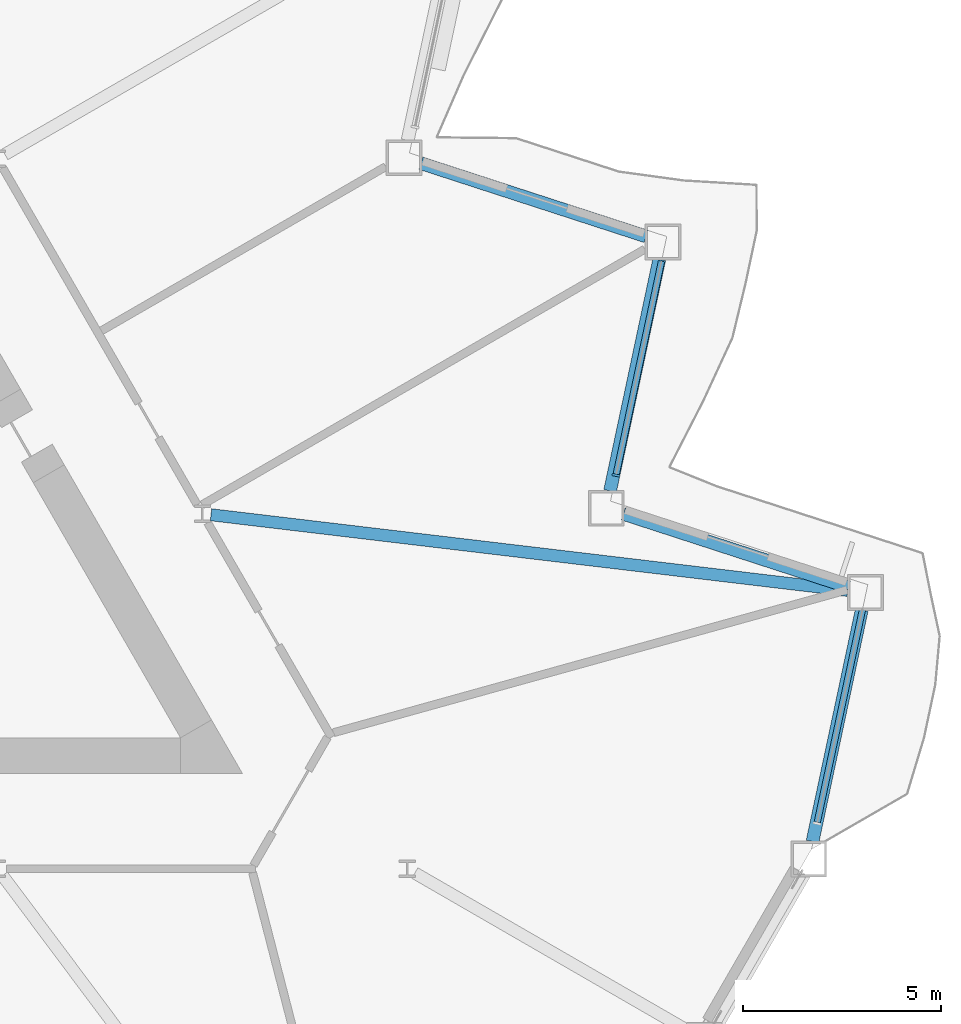
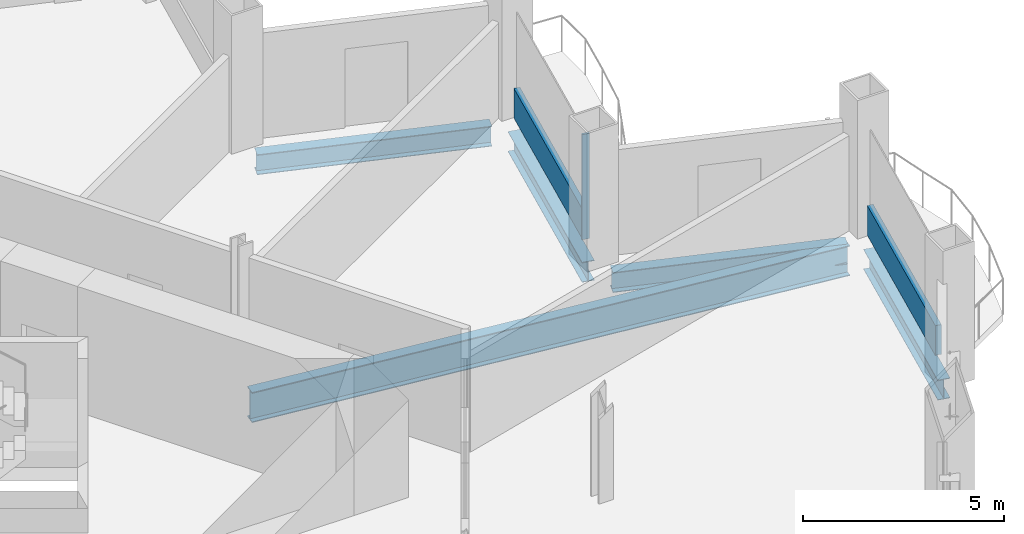
# One storey, part 6 of 21: 5 beams, 3 members, 2 elements without a shape of their own.
"""IFC4 building model written with IfcOpenShell, lengths in metres."""

from ifc_helpers import new_model, si_unit, direction, frame, origin, origin_2d, place, context, subcontext, project, spatial, rectangle, i_section, extrude, material, layer, layer_set, material_profile, profile_set, type_object, element, aggregate, save


model = new_model("IFC4")

# Units and contexts
model_context = context("Model", 3, precision=1e-05, world=origin(), true_north=direction((0.0, 1.0)))
body_context = subcontext(model_context, "Body", "Model", "MODEL_VIEW")
ifc_project = project(units=[si_unit("LENGTHUNIT", "METRE"), si_unit("AREAUNIT", "SQUARE_METRE"), si_unit("VOLUMEUNIT", "CUBIC_METRE"), si_unit("PLANEANGLEUNIT", "RADIAN"), si_unit("MASSUNIT", "GRAM", prefix="KILO")], contexts=[model_context])

# Site, building, storey
site_placement = place(None, origin())
site = spatial("IfcSite", under=ifc_project, at=site_placement, CompositionType="ELEMENT")
building_placement = place(site_placement, origin())
building = spatial("IfcBuilding", under=site, at=building_placement, Name="Cormorant Prow Tower", CompositionType="ELEMENT")
storey_placement = place(building_placement, frame((0.0, 0.0, 141.60009765625)))
storey = spatial("IfcBuildingStorey", under=building, at=storey_placement, Name="L30", CompositionType="ELEMENT", Elevation=141.60009765625)

# Curtain wall, member
ifc_material_1 = material(Name="Aluminium 6063-T6", Category="aluminium")
ifc_layer = layer(ifc_material_1, 0.199951171875)
ifc_layer_set = layer_set([ifc_layer], Name="Aluminium 6063-T6")
curtain_wall_type = type_object("IfcCurtainWallType", Name="Office unitised curtain wall 200", PredefinedType="NOTDEFINED", material=ifc_layer_set)
curtain_wall_1_placement = place(storey_placement, origin())
curtain_wall_1 = element("IfcCurtainWall", 1, at=curtain_wall_1_placement, inside=storey, type_object=curtain_wall_type, Name="Office curtain wall ENE02", PredefinedType="NOTDEFINED")
ifc_material_2 = material(Name="Aluminium 6063-T6", Category="aluminium")
ifc_material_profile_1 = material_profile(ifc_material_2, rectangle(XDim=0.199951171875, YDim=0.06005859375, at=origin_2d()), Name="Office mullion 60x200")
ifc_profile_set_1 = profile_set([ifc_material_profile_1], Name="Aluminium 6063-T6")
member_type_1 = type_object("IfcMemberType", Name="Office mullion 60x200", PredefinedType="MULLION", material=ifc_profile_set_1)
member_1_placement = place(storey_placement, frame((25.911376953125, -2.012451171875, 0.0), z_axis=(0.0, 0.0, 1.0), x_axis=(-0.978147594572, 0.207911719806, 0.0)))
member_1 = element("IfcMember", 2, at=member_1_placement, type_object=member_type_1, Name="Office mullion ENE02", PredefinedType="MULLION", context=body_context, shape_type="SweptSolid", body=[
    extrude(rectangle(XDim=0.199951171875, YDim=0.06005859375, at=origin_2d()), origin(), (0.0, 0.0, 1.0), 3.188720703125),
])

curtain_wall_2_placement = place(storey_placement, origin())
curtain_wall_2 = element("IfcCurtainWall", 3, at=curtain_wall_2_placement, inside=storey, type_object=curtain_wall_type, Name="Office curtain wall ENE00", PredefinedType="NOTDEFINED")
ifc_material_3 = material(Name="Terracotta", Category="masonry")
ifc_material_profile_2 = material_profile(ifc_material_3, rectangle(XDim=0.159912109375, YDim=0.89990234375, at=origin_2d()), Name="Office terracotta spandrel rail 160x900")
ifc_profile_set_2 = profile_set([ifc_material_profile_2], Name="Terracotta")
member_type_2 = type_object("IfcMemberType", Name="Office terracotta spandrel rail 160x900", PredefinedType="USERDEFINED", material=ifc_profile_set_2)
member_2_placement = place(storey_placement, frame((30.982177734375, -10.755126953125, 0.449951171875), z_axis=(0.207901892463, 0.978149683387, 0.0), x_axis=(-0.978149683387, 0.207901892463, 0.0)))
member_2 = element("IfcMember", 4, at=member_2_placement, type_object=member_type_2, Name="Office spandrel rail ENE00", ObjectType="TRANSOM", PredefinedType="USERDEFINED", context=body_context, shape_type="SweptSolid", body=[
    extrude(rectangle(XDim=0.159912109375, YDim=0.89990234375, at=origin_2d()), origin(), (0.0, 0.0, 1.0), 5.48291015625),
])
aggregate(curtain_wall_2, [member_2])

# Member
member_3_placement = place(storey_placement, frame((25.917724609375, -1.983154296875, 0.449951171875), z_axis=(0.207901892463, 0.978149683387, 0.0), x_axis=(-0.978149683387, 0.207901892463, 0.0)))
member_3 = element("IfcMember", 5, at=member_3_placement, type_object=member_type_2, Name="Office spandrel rail ENE02", ObjectType="TRANSOM", PredefinedType="USERDEFINED", context=body_context, shape_type="SweptSolid", body=[
    extrude(rectangle(XDim=0.159912109375, YDim=0.89990234375, at=origin_2d()), origin(), (0.0, 0.0, 1.0), 5.48291015625),
])

aggregate(curtain_wall_1, [member_1, member_3])

# Beams
ifc_material_4 = material(Name="Structural steel ASTM A992 Gr 50", Category="steel")
ifc_material_profile_3 = material_profile(ifc_material_4, i_section(OverallWidth=0.3046875, OverallDepth=0.914794921875, WebThickness=0.0166015625, FlangeThickness=0.02587890625, at=origin_2d()), Name="W36x160")
ifc_profile_set_3 = profile_set([ifc_material_profile_3], Name="Structural steel ASTM A992 Gr 50")
beam_type_1 = type_object("IfcBeamType", Name="Radial floor beam W36x160", PredefinedType="BEAM", material=ifc_profile_set_3)
beam_1_placement = place(storey_placement, frame((15.70849609375, -3.00732421875, -0.857421875), z_axis=(0.993009167646, -0.118037252474, 0.0), x_axis=(0.118037252474, 0.993009167646, 0.0)))
element("IfcBeam", 6, at=beam_1_placement, inside=storey, type_object=beam_type_1, Name="Radial floor beam FB1 10 L30", PredefinedType="BEAM", context=body_context, shape_type="SweptSolid", body=[
    extrude(i_section(OverallWidth=0.3046875, OverallDepth=0.914794921875, WebThickness=0.0166015625, FlangeThickness=0.02587890625, at=origin_2d()), origin(), (0.0, 0.0, 1.0), 16.15380859375),
])
ifc_material_5 = material(Name="Structural steel ASTM A992 Gr 50", Category="steel")
ifc_material_profile_4 = material_profile(ifc_material_5, i_section(OverallWidth=0.32373046875, OverallDepth=0.611083984375, WebThickness=0.0126953125, FlangeThickness=0.01904296875, at=origin_2d()), Name="W24x104")
ifc_profile_set_4 = profile_set([ifc_material_profile_4], Name="Structural steel ASTM A992 Gr 50")
beam_type_2 = type_object("IfcBeamType", Name="Spandrel beam W24x104", PredefinedType="SPANDREL", material=ifc_profile_set_4)
beam_2_placement = place(storey_placement, frame((30.86279296875, -11.23974609375, -0.70556640625), z_axis=(0.207912620873, 0.978147403044, 0.0), x_axis=(-0.978147403044, 0.207912620873, 0.0)))
element("IfcBeam", 7, at=beam_2_placement, inside=storey, type_object=beam_type_2, Name="Spandrel beam SB1 ENE00-ENE01 L30", PredefinedType="SPANDREL", context=body_context, shape_type="SweptSolid", body=[
    extrude(i_section(OverallWidth=0.32373046875, OverallDepth=0.611083984375, WebThickness=0.0126953125, FlangeThickness=0.01904296875, at=origin_2d()), origin(), (0.0, 0.0, 1.0), 5.962890625),
])
for number, where, z_axis, x_axis, name in (
    (8, (31.768310546875, -4.828125, -0.70556640625), (-0.951059340519, 0.309008302174, 0.0), (-0.309008302174, -0.951059340519, 0.0), "Spandrel beam SB1 ENE01-ENE02 L30"),
    (9, (25.762939453125, -2.40625, -0.70556640625), (0.207920947907, 0.978145633033, 0.0), (-0.978145633033, 0.207920947907, 0.0), "Spandrel beam SB1 ENE02-ENE03 L30"),
):
    element("IfcBeam", number, at=place(storey_placement, frame(where, z_axis=z_axis, x_axis=x_axis)), inside=storey, type_object=beam_type_2, Name=name, PredefinedType="SPANDREL", context=body_context, shape_type="SweptSolid", body=[
        extrude(i_section(OverallWidth=0.32373046875, OverallDepth=0.611083984375, WebThickness=0.0126953125, FlangeThickness=0.01904296875, at=origin_2d()), origin(), (0.0, 0.0, 1.0), 5.962646484375),
    ])
beam_3_placement = place(storey_placement, frame((26.668212890625, 4.00537109375, -0.70556640625), z_axis=(-0.951055430656, 0.309020335608, 0.0), x_axis=(-0.309020335608, -0.951055430656, 0.0)))
element("IfcBeam", 10, at=beam_3_placement, inside=storey, type_object=beam_type_2, Name="Spandrel beam SB1 ENE03-ENE04 L30", PredefinedType="SPANDREL", context=body_context, shape_type="SweptSolid", body=[
    extrude(i_section(OverallWidth=0.32373046875, OverallDepth=0.611083984375, WebThickness=0.0126953125, FlangeThickness=0.01904296875, at=origin_2d()), origin(), (0.0, 0.0, 1.0), 5.96240234375),
])

save(model, "model.ifc")
